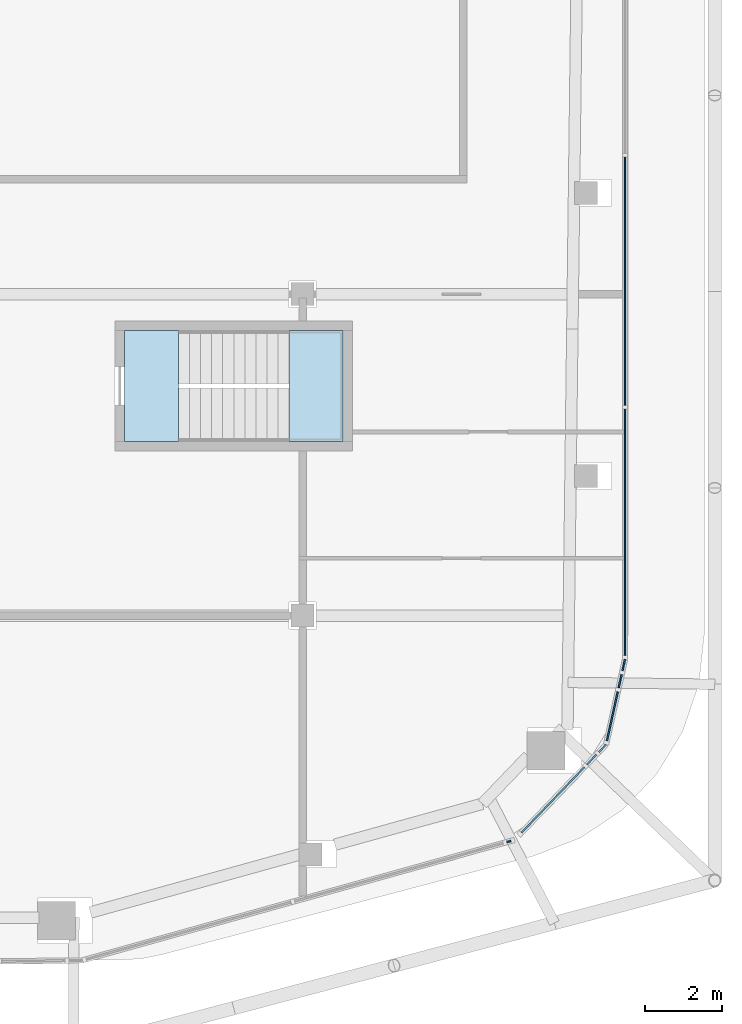
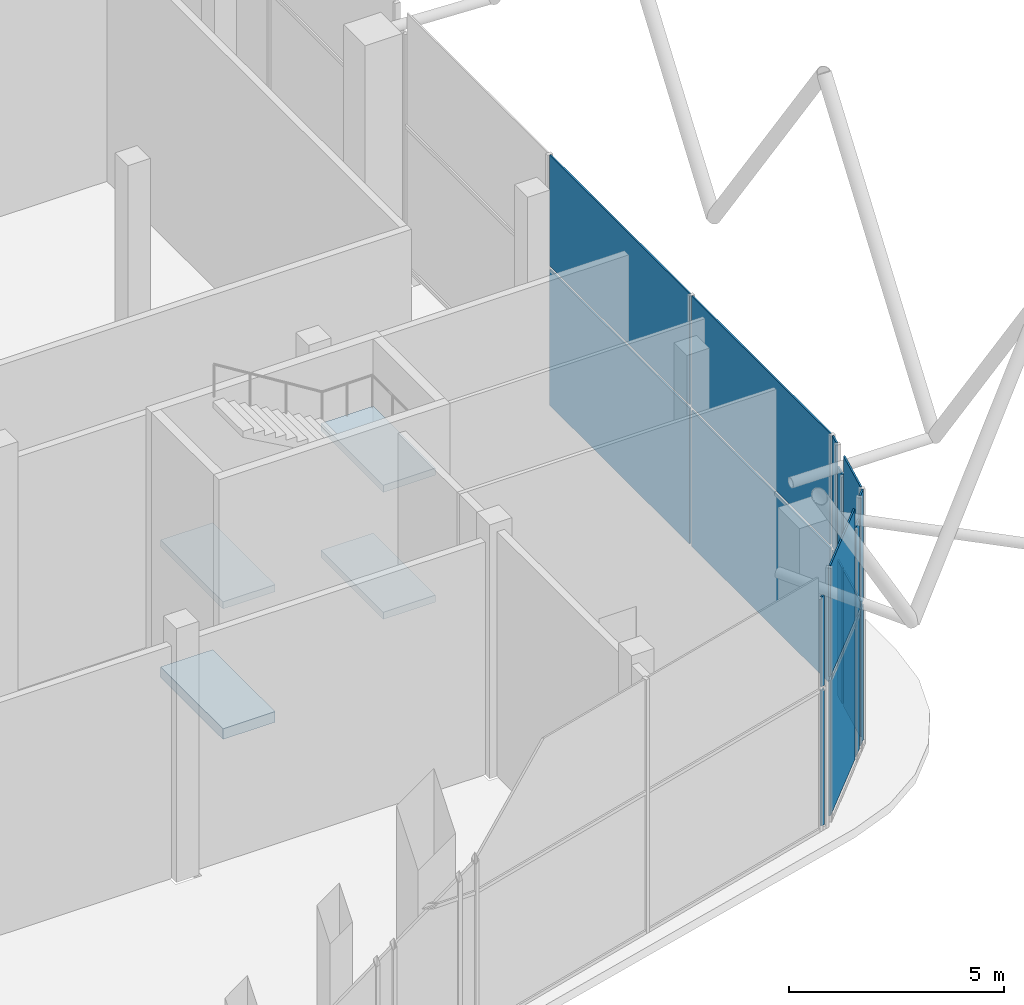
# One storey, part 15 of 25: 18 plates, 4 slabs, 9 elements without a shape of their own.
"""IFC4 building model written with IfcOpenShell, lengths in metres."""

from ifc_helpers import new_model, si_unit, direction, frame, origin, origin_2d, place, context, subcontext, project, spatial, polyline, rectangle, outline, extrude, material, layer, layer_set, type_object, element, aggregate, save


model = new_model("IFC4")

# Units and contexts
model_context = context("Model", 3, precision=1e-05, world=origin(), true_north=direction((0.0, 1.0)))
body_context = subcontext(model_context, "Body", "Model", "MODEL_VIEW")
ifc_project = project(units=[si_unit("LENGTHUNIT", "METRE"), si_unit("AREAUNIT", "SQUARE_METRE"), si_unit("VOLUMEUNIT", "CUBIC_METRE"), si_unit("PLANEANGLEUNIT", "RADIAN"), si_unit("MASSUNIT", "GRAM", prefix="KILO")], contexts=[model_context])

# Site, building, storey
site_placement = place(None, origin())
site = spatial("IfcSite", under=ifc_project, at=site_placement, CompositionType="ELEMENT")
building_placement = place(site_placement, origin())
building = spatial("IfcBuilding", under=site, at=building_placement, Name="Marenta Gate Hotel Tower", CompositionType="ELEMENT")
storey_placement = place(building_placement, frame((0.0, 0.0, 281.300048828125)))
storey = spatial("IfcBuildingStorey", under=building, at=storey_placement, Name="L65", CompositionType="ELEMENT", Elevation=281.300048828125)

# Curtain wall, plates
ifc_material_1 = material(Name="Tinted insulated glass in bronze anodised frame", Category="glass")
ifc_layer_1 = layer(ifc_material_1, 0.139892578125)
ifc_layer_set_1 = layer_set([ifc_layer_1], Name="Tinted insulated glass in bronze anodised frame")
curtain_wall_type = type_object("IfcCurtainWallType", Name="Observation deck structural glazing CW3", PredefinedType="NOTDEFINED", material=ifc_layer_set_1)
curtain_wall_1_placement = place(storey_placement, origin())
curtain_wall_1 = element("IfcCurtainWall", 1, at=curtain_wall_1_placement, inside=storey, type_object=curtain_wall_type, Name="CW3 run G26", PredefinedType="NOTDEFINED")
ifc_material_2 = material(Name="Tinted insulated glass", Category="glass")
ifc_layer_2 = layer(ifc_material_2, 0.0439453125)
ifc_layer_set_2 = layer_set([ifc_layer_2], Name="Tinted insulated glass")
plate_type = type_object("IfcPlateType", Name="Glass panel CW3 44 mm tinted insulated unit", PredefinedType="CURTAIN_PANEL", material=ifc_layer_set_2)
plate_1_placement = place(storey_placement, frame((17.9892578125, -31.10400390625, 0.099853515625), z_axis=(0.0, 0.0, 1.0), x_axis=(0.963280311942, 0.268497747894, 0.0)))
plate_1 = element("IfcPlate", 2, at=plate_1_placement, type_object=plate_type, Name="CW3 panel 1.1", PredefinedType="CURTAIN_PANEL", context=body_context, shape_type="SweptSolid", body=[
    extrude(rectangle(XDim=0.10791015625, YDim=0.0439453125, at=origin_2d()), origin(), (0.0, 0.0, 1.0), 3.85009765625),
])
plate_2_placement = place(storey_placement, frame((17.9892578125, -31.10400390625, 4.0498046875), z_axis=(0.0, 0.0, 1.0), x_axis=(0.963280311942, 0.268497747894, 0.0)))
plate_2 = element("IfcPlate", 3, at=plate_2_placement, type_object=plate_type, Name="CW3 panel 1.2", PredefinedType="CURTAIN_PANEL", context=body_context, shape_type="SweptSolid", body=[
    extrude(rectangle(XDim=0.10791015625, YDim=0.0439453125, at=origin_2d()), origin(), (0.0, 0.0, 1.0), 2.550537109375),
])
aggregate(curtain_wall_1, [plate_1, plate_2])

curtain_wall_2_placement = place(storey_placement, origin())
curtain_wall_2 = element("IfcCurtainWall", 4, at=curtain_wall_2_placement, inside=storey, type_object=curtain_wall_type, Name="CW3 run G27", PredefinedType="NOTDEFINED")
plate_3_placement = place(storey_placement, frame((19.13916015625, -30.01953125, 0.099853515625), z_axis=(0.0, 0.0, 1.0), x_axis=(0.692539406158, 0.721380046105, 0.0)))
plate_3 = element("IfcPlate", 5, at=plate_3_placement, type_object=plate_type, Name="CW3 panel 1.1", PredefinedType="CURTAIN_PANEL", context=body_context, shape_type="SweptSolid", body=[
    extrude(rectangle(XDim=2.372314453125, YDim=0.0439453125, at=origin_2d()), origin(), (0.0, 0.0, 1.0), 3.85009765625),
])
plate_4_placement = place(storey_placement, frame((19.13916015625, -30.01953125, 4.050048828125), z_axis=(0.0, 0.0, 1.0), x_axis=(0.692539406158, 0.721380046105, 0.0)))
plate_4 = element("IfcPlate", 6, at=plate_4_placement, type_object=plate_type, Name="CW3 panel 1.2", PredefinedType="CURTAIN_PANEL", context=body_context, shape_type="SweptSolid", body=[
    extrude(rectangle(XDim=2.372314453125, YDim=0.0439453125, at=origin_2d()), origin(), (0.0, 0.0, 1.0), 3.14990234375),
])
aggregate(curtain_wall_2, [plate_3, plate_4])

curtain_wall_3_placement = place(storey_placement, origin())
curtain_wall_3 = element("IfcCurtainWall", 7, at=curtain_wall_3_placement, inside=storey, type_object=curtain_wall_type, Name="CW3 run G28", PredefinedType="NOTDEFINED")
plate_5_placement = place(storey_placement, frame((20.152099609375, -28.96435546875, 0.099853515625), z_axis=(0.0, 0.0, 1.0), x_axis=(0.692499661278, 0.721418199888, 0.0)))
plate_5 = element("IfcPlate", 8, at=plate_5_placement, type_object=plate_type, Name="CW3 panel 1.1", PredefinedType="CURTAIN_PANEL", context=body_context, shape_type="SweptSolid", body=[
    extrude(rectangle(XDim=0.35302734375, YDim=0.0439453125, at=origin_2d()), origin(), (0.0, 0.0, 1.0), 3.85009765625),
])
plate_6_placement = place(storey_placement, frame((20.152099609375, -28.96435546875, 4.0498046875), z_axis=(0.0, 0.0, 1.0), x_axis=(0.692499661278, 0.721418199888, 0.0)))
plate_6 = element("IfcPlate", 9, at=plate_6_placement, type_object=plate_type, Name="CW3 panel 1.2", PredefinedType="CURTAIN_PANEL", context=body_context, shape_type="SweptSolid", body=[
    extrude(rectangle(XDim=0.35302734375, YDim=0.0439453125, at=origin_2d()), origin(), (0.0, 0.0, 1.0), 2.550537109375),
])
aggregate(curtain_wall_3, [plate_5, plate_6])

curtain_wall_4_placement = place(storey_placement, origin())
curtain_wall_4 = element("IfcCurtainWall", 10, at=curtain_wall_4_placement, inside=storey, type_object=curtain_wall_type, Name="CW3 run G29", PredefinedType="NOTDEFINED")
plate_7_placement = place(storey_placement, frame((20.4365234375, -28.668212890625, 0.099853515625), z_axis=(0.0, 0.0, 1.0), x_axis=(0.692712615177, 0.721213721982, 0.0)))
plate_7 = element("IfcPlate", 11, at=plate_7_placement, type_object=plate_type, Name="CW3 panel 1.1", PredefinedType="CURTAIN_PANEL", context=body_context, shape_type="SweptSolid", body=[
    extrude(rectangle(XDim=0.268310546875, YDim=0.0439453125, at=origin_2d()), origin(), (0.0, 0.0, 1.0), 3.85009765625),
])
plate_8_placement = place(storey_placement, frame((20.4365234375, -28.668212890625, 4.050048828125), z_axis=(0.0, 0.0, 1.0), x_axis=(0.692712615177, 0.721213721982, 0.0)))
plate_8 = element("IfcPlate", 12, at=plate_8_placement, type_object=plate_type, Name="CW3 panel 1.2", PredefinedType="CURTAIN_PANEL", context=body_context, shape_type="SweptSolid", body=[
    extrude(rectangle(XDim=0.268310546875, YDim=0.0439453125, at=origin_2d()), origin(), (0.0, 0.0, 1.0), 3.14990234375),
])
aggregate(curtain_wall_4, [plate_7, plate_8])

curtain_wall_5_placement = place(storey_placement, origin())
curtain_wall_5 = element("IfcCurtainWall", 13, at=curtain_wall_5_placement, inside=storey, type_object=curtain_wall_type, Name="CW3 run G30", PredefinedType="NOTDEFINED")
plate_9_placement = place(storey_placement, frame((20.69384765625, -27.831298828125, 0.099853515625), z_axis=(0.0, 0.0, 1.0), x_axis=(0.216810813504, 0.976213640116, 0.0)))
plate_9 = element("IfcPlate", 14, at=plate_9_placement, type_object=plate_type, Name="CW3 panel 1.1", PredefinedType="CURTAIN_PANEL", context=body_context, shape_type="SweptSolid", body=[
    extrude(rectangle(XDim=1.31591796875, YDim=0.0439453125, at=origin_2d()), origin(), (0.0, 0.0, 1.0), 3.85009765625),
])
plate_10_placement = place(storey_placement, frame((20.69384765625, -27.831298828125, 4.050048828125), z_axis=(0.0, 0.0, 1.0), x_axis=(0.216810813504, 0.976213640116, 0.0)))
plate_10 = element("IfcPlate", 15, at=plate_10_placement, type_object=plate_type, Name="CW3 panel 1.2", PredefinedType="CURTAIN_PANEL", context=body_context, shape_type="SweptSolid", body=[
    extrude(rectangle(XDim=1.31591796875, YDim=0.0439453125, at=origin_2d()), origin(), (0.0, 0.0, 1.0), 3.14990234375),
])
aggregate(curtain_wall_5, [plate_9, plate_10])

curtain_wall_6_placement = place(storey_placement, origin())
curtain_wall_6 = element("IfcCurtainWall", 16, at=curtain_wall_6_placement, inside=storey, type_object=curtain_wall_type, Name="CW3 run G31", PredefinedType="NOTDEFINED")
plate_11_placement = place(storey_placement, frame((20.8974609375, -26.914306640625, 0.099853515625), z_axis=(0.0, 0.0, 1.0), x_axis=(0.216930457816, 0.976187060185, 0.0)))
plate_11 = element("IfcPlate", 17, at=plate_11_placement, type_object=plate_type, Name="CW3 panel 1.1", PredefinedType="CURTAIN_PANEL", context=body_context, shape_type="SweptSolid", body=[
    extrude(rectangle(XDim=0.36279296875, YDim=0.0439453125, at=origin_2d()), origin(), (0.0, 0.0, 1.0), 3.85009765625),
])
plate_12_placement = place(storey_placement, frame((20.8974609375, -26.914306640625, 4.0498046875), z_axis=(0.0, 0.0, 1.0), x_axis=(0.216930457816, 0.976187060185, 0.0)))
plate_12 = element("IfcPlate", 18, at=plate_12_placement, type_object=plate_type, Name="CW3 panel 1.2", PredefinedType="CURTAIN_PANEL", context=body_context, shape_type="SweptSolid", body=[
    extrude(rectangle(XDim=0.36279296875, YDim=0.0439453125, at=origin_2d()), origin(), (0.0, 0.0, 1.0), 2.550537109375),
])
aggregate(curtain_wall_6, [plate_11, plate_12])

curtain_wall_7_placement = place(storey_placement, origin())
curtain_wall_7 = element("IfcCurtainWall", 19, at=curtain_wall_7_placement, inside=storey, type_object=curtain_wall_type, Name="CW3 run G32", PredefinedType="NOTDEFINED")
plate_13_placement = place(storey_placement, frame((20.9912109375, -26.4921875, 0.099853515625), z_axis=(0.0, 0.0, 1.0), x_axis=(0.216746014177, 0.976228029375, 0.0)))
plate_13 = element("IfcPlate", 20, at=plate_13_placement, type_object=plate_type, Name="CW3 panel 1.1", PredefinedType="CURTAIN_PANEL", context=body_context, shape_type="SweptSolid", body=[
    extrude(rectangle(XDim=0.302001953125, YDim=0.0439453125, at=origin_2d()), origin(), (0.0, 0.0, 1.0), 3.85009765625),
])
plate_14_placement = place(storey_placement, frame((20.9912109375, -26.4921875, 4.050048828125), z_axis=(0.0, 0.0, 1.0), x_axis=(0.216746014177, 0.976228029375, 0.0)))
plate_14 = element("IfcPlate", 21, at=plate_14_placement, type_object=plate_type, Name="CW3 panel 1.2", PredefinedType="CURTAIN_PANEL", context=body_context, shape_type="SweptSolid", body=[
    extrude(rectangle(XDim=0.302001953125, YDim=0.0439453125, at=origin_2d()), origin(), (0.0, 0.0, 1.0), 3.14990234375),
])
aggregate(curtain_wall_7, [plate_13, plate_14])

curtain_wall_8_placement = place(storey_placement, origin())
curtain_wall_8 = element("IfcCurtainWall", 22, at=curtain_wall_8_placement, inside=storey, type_object=curtain_wall_type, Name="CW3 run G33", PredefinedType="NOTDEFINED")
plate_15_placement = place(storey_placement, frame((21.02392578125, -23.026123046875, 0.099853515625), z_axis=(0.0, 0.0, 1.0), x_axis=(0.0, 1.0, 0.0)))
plate_15 = element("IfcPlate", 23, at=plate_15_placement, type_object=plate_type, Name="CW3 panel 1.1", PredefinedType="CURTAIN_PANEL", context=body_context, shape_type="SweptSolid", body=[
    extrude(rectangle(XDim=6.43798828125, YDim=0.0439453125, at=origin_2d()), origin(), (0.0, 0.0, 1.0), 3.85009765625),
])
plate_16_placement = place(storey_placement, frame((21.02392578125, -23.026123046875, 4.050048828125), z_axis=(0.0, 0.0, 1.0), x_axis=(0.0, 1.0, 0.0)))
plate_16 = element("IfcPlate", 24, at=plate_16_placement, type_object=plate_type, Name="CW3 panel 1.2", PredefinedType="CURTAIN_PANEL", context=body_context, shape_type="SweptSolid", body=[
    extrude(rectangle(XDim=6.43798828125, YDim=0.0439453125, at=origin_2d()), origin(), (0.0, 0.0, 1.0), 3.14990234375),
])
plate_17_placement = place(storey_placement, frame((21.02392578125, -16.463134765625, 0.099853515625), z_axis=(0.0, 0.0, 1.0), x_axis=(0.0, 1.0, 0.0)))
plate_17 = element("IfcPlate", 25, at=plate_17_placement, type_object=plate_type, Name="CW3 panel 2.1", PredefinedType="CURTAIN_PANEL", context=body_context, shape_type="SweptSolid", body=[
    extrude(rectangle(XDim=6.488037109375, YDim=0.0439453125, at=origin_2d()), origin(), (0.0, 0.0, 1.0), 3.85009765625),
])
plate_18_placement = place(storey_placement, frame((21.02392578125, -16.463134765625, 4.050048828125), z_axis=(0.0, 0.0, 1.0), x_axis=(0.0, 1.0, 0.0)))
plate_18 = element("IfcPlate", 26, at=plate_18_placement, type_object=plate_type, Name="CW3 panel 2.2", PredefinedType="CURTAIN_PANEL", context=body_context, shape_type="SweptSolid", body=[
    extrude(rectangle(XDim=6.488037109375, YDim=0.0439453125, at=origin_2d()), origin(), (0.0, 0.0, 1.0), 3.14990234375),
])
aggregate(curtain_wall_8, [plate_15, plate_16, plate_17, plate_18])

# Stair, slabs
ifc_material_3 = material(Name="Concrete C40", Category="concrete")
stair_type = type_object("IfcStairType", Name="Remote exit stair 1400 wide", PredefinedType="HALF_TURN_STAIR", material=ifc_material_3)
stair_placement = place(storey_placement, origin())
stair = element("IfcStair", 27, at=stair_placement, inside=storey, type_object=stair_type, Name="Exit stair RS-Z4-1", PredefinedType="HALF_TURN_STAIR")
ifc_material_4 = material(Name="Concrete C40", Category="concrete")
ifc_layer_3 = layer(ifc_material_4, 0.199951171875)
ifc_layer_set_3 = layer_set([ifc_layer_3], Name="Concrete C40")
slab_type_1 = type_object("IfcSlabType", Name="Remote stair landing 200", PredefinedType="LANDING", material=ifc_layer_set_3)
slab_1_placement = place(storey_placement, frame((0.0, 0.0, 1.599853515625)))
slab_1 = element("IfcSlab", 28, at=slab_1_placement, type_object=slab_type_1, Name="RL-200 RS-Z4-1 landing 1", PredefinedType="LANDING", context=body_context, shape_type="SweptSolid", body=[
    extrude(outline(polyline([(12.25, -20.64990234375), (13.64990234375, -20.64990234375), (13.64990234375, -17.75), (12.25, -17.75), (12.25, -20.64990234375)])), origin(), (0.0, 0.0, 1.0), 0.2001953125),
])
slab_2_placement = place(storey_placement, frame((0.0, 0.0, 3.39990234375)))
slab_2 = element("IfcSlab", 29, at=slab_2_placement, type_object=slab_type_1, Name="RL-200 RS-Z4-1 landing 2", PredefinedType="LANDING", context=body_context, shape_type="SweptSolid", body=[
    extrude(outline(polyline([(7.949951171875, -20.64990234375), (9.35009765625, -20.64990234375), (9.35009765625, -17.75), (7.949951171875, -17.75), (7.949951171875, -20.64990234375)])), origin(), (0.0, 0.0, 1.0), 0.199951171875),
])
slab_3_placement = place(storey_placement, frame((0.0, 0.0, 5.199951171875)))
slab_3 = element("IfcSlab", 30, at=slab_3_placement, type_object=slab_type_1, Name="RL-200 RS-Z4-1 landing 3", PredefinedType="LANDING", context=body_context, shape_type="SweptSolid", body=[
    extrude(outline(polyline([(12.25, -20.64990234375), (13.64990234375, -20.64990234375), (13.64990234375, -17.75), (12.25, -17.75), (12.25, -20.64990234375)])), origin(), (0.0, 0.0, 1.0), 0.199951171875),
])
aggregate(stair, [slab_1, slab_2, slab_3])

# Slab
ifc_material_5 = material(Name="Concrete C40", Category="concrete")
ifc_layer_4 = layer(ifc_material_5, 0.300048828125)
ifc_layer_set_4 = layer_set([ifc_layer_4], Name="Concrete C40")
slab_type_2 = type_object("IfcSlabType", Name="Stair floor landing slab 300", PredefinedType="FLOOR", material=ifc_layer_set_4)
slab_4_placement = place(storey_placement, frame((0.0, 0.0, -0.300048828125)))
element("IfcSlab", 31, at=slab_4_placement, inside=storey, type_object=slab_type_2, Name="L65-RS-Z4-1-CL", PredefinedType="FLOOR", context=body_context, shape_type="SweptSolid", body=[
    extrude(outline(polyline([(9.35009765625, -20.64990234375), (9.35009765625, -17.75), (7.949951171875, -17.75), (7.949951171875, -20.64990234375), (9.35009765625, -20.64990234375)])), origin(), (0.0, 0.0, 1.0), 0.300048828125),
])

save(model, "model.ifc")
